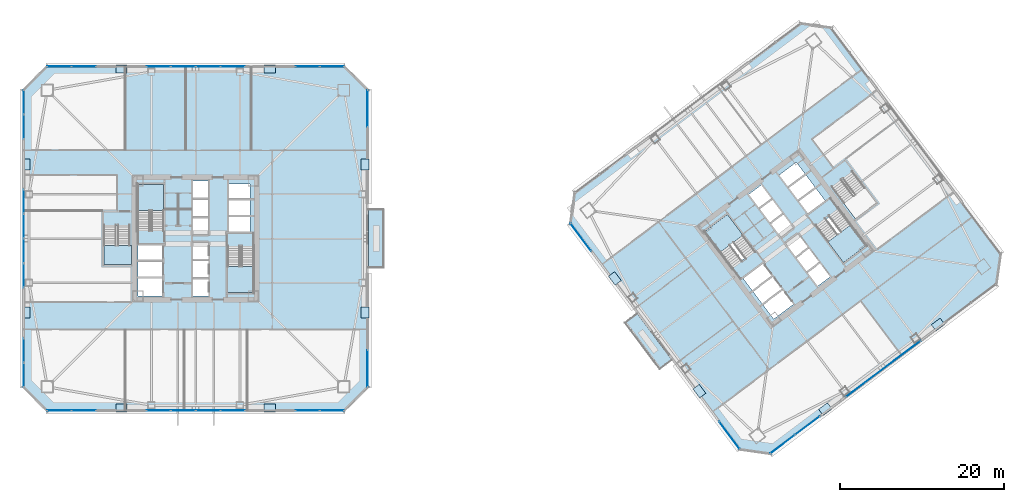
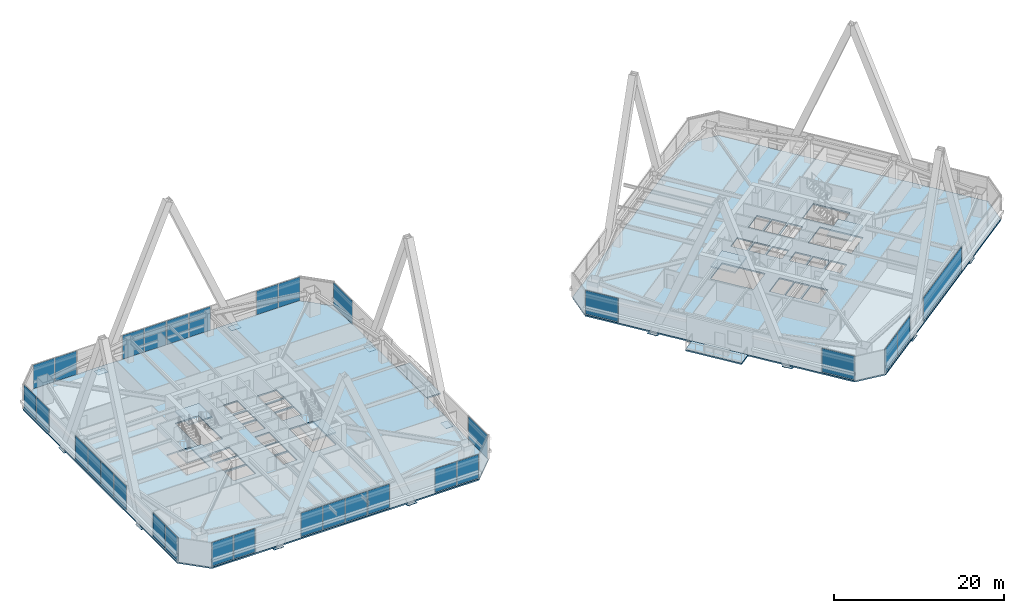
# One storey, part 41 of 54: 43 plates, 9 slabs, 20 elements without a shape of their own.
"""IFC4 building model written with IfcOpenShell, lengths in metres."""

from ifc_helpers import new_model, si_unit, direction, frame, origin, origin_2d, place, context, subcontext, project, spatial, polyline, rectangle, outline, extrude, material, layer, layer_set, type_object, element, aggregate, save


model = new_model("IFC4")

# Units and contexts
model_context = context("Model", 3, precision=1e-05, world=origin(), true_north=direction((0.0, 1.0)))
body_context = subcontext(model_context, "Body", "Model", "MODEL_VIEW")
ifc_project = project(units=[si_unit("LENGTHUNIT", "METRE"), si_unit("AREAUNIT", "SQUARE_METRE"), si_unit("VOLUMEUNIT", "CUBIC_METRE"), si_unit("PLANEANGLEUNIT", "RADIAN"), si_unit("MASSUNIT", "GRAM", prefix="KILO")], contexts=[model_context])

# Site, building, storey
site_placement = place(None, origin())
site = spatial("IfcSite", under=ifc_project, at=site_placement, CompositionType="ELEMENT")
building_placement = place(site_placement, origin())
building = spatial("IfcBuilding", under=site, at=building_placement, Name="Tashvorn Skyway Center", CompositionType="ELEMENT")
storey_placement = place(building_placement, frame((0.0, 0.0, 88.5)))
storey = spatial("IfcBuildingStorey", under=building, at=storey_placement, Name="L23", CompositionType="ELEMENT", Elevation=88.5)

# Curtain wall, plates
ifc_material_1 = material(Name="Thermally broken bronze-anodized aluminium 6063-T6", Category="aluminium")
curtain_wall_type = type_object("IfcCurtainWallType", Name="CW-CW-Z2", PredefinedType="NOTDEFINED", material=ifc_material_1)
curtain_wall_1_placement = place(storey_placement, origin())
curtain_wall_1 = element("IfcCurtainWall", 1, at=curtain_wall_1_placement, inside=storey, type_object=curtain_wall_type, Name="Tower 1 L23 South Unitised Curtain Wall Glazing Group 1", PredefinedType="NOTDEFINED")
ifc_material_2 = material(Name="Low-E solar-control double insulating safety glass", Category="glass")
ifc_layer_1 = layer(ifc_material_2, 0.0439453125)
ifc_layer_set_1 = layer_set([ifc_layer_1], Name="Low-E solar-control double insulating safety glass")
plate_type_1 = type_object("IfcPlateType", Name="CWP-CW-Z2", PredefinedType="CURTAIN_PANEL", material=ifc_layer_set_1)
plate_1_placement = place(storey_placement, frame((58.64501953125, 11.02001953125, 0.080078125), z_axis=(0.0, 0.0, 1.0), x_axis=(-1.0, 0.0, 0.0)))
plate_1 = element("IfcPlate", 2, at=plate_1_placement, type_object=plate_type_1, Name="CW-Z2 panel 1.1", PredefinedType="CURTAIN_PANEL", context=body_context, shape_type="SweptSolid", body=[
    extrude(rectangle(XDim=2.909912109375, YDim=0.0439453125, at=origin_2d()), origin(), (0.0, 0.0, 1.0), 3.389892578125),
])
plate_2_placement = place(storey_placement, frame((55.655029296875, 11.02001953125, 0.080078125), z_axis=(0.0, 0.0, 1.0), x_axis=(-1.0, 0.0, 0.0)))
plate_2 = element("IfcPlate", 3, at=plate_2_placement, type_object=plate_type_1, Name="CW-Z2 panel 2.1", PredefinedType="CURTAIN_PANEL", context=body_context, shape_type="SweptSolid", body=[
    extrude(rectangle(XDim=2.909912109375, YDim=0.0439453125, at=origin_2d()), origin(), (0.0, 0.0, 1.0), 3.389892578125),
])
aggregate(curtain_wall_1, [plate_1, plate_2])

curtain_wall_2_placement = place(storey_placement, origin())
curtain_wall_2 = element("IfcCurtainWall", 4, at=curtain_wall_2_placement, inside=storey, type_object=curtain_wall_type, Name="Tower 1 L23 South Unitised Curtain Wall Glazing Group 2", PredefinedType="NOTDEFINED")
plate_3_placement = place(storey_placement, frame((46.52490234375, 11.02001953125, 0.080078125), z_axis=(0.0, 0.0, 1.0), x_axis=(-1.0, 0.0, 0.0)))
plate_3 = element("IfcPlate", 5, at=plate_3_placement, type_object=plate_type_1, Name="CW-Z2 panel 1.1", PredefinedType="CURTAIN_PANEL", context=body_context, shape_type="SweptSolid", body=[
    extrude(rectangle(XDim=2.909912109375, YDim=0.0439453125, at=origin_2d()), origin(), (0.0, 0.0, 1.0), 3.389892578125),
])
plate_4_placement = place(storey_placement, frame((43.514892578125, 11.02001953125, 0.080078125), z_axis=(0.0, 0.0, 1.0), x_axis=(-1.0, 0.0, 0.0)))
plate_4 = element("IfcPlate", 6, at=plate_4_placement, type_object=plate_type_1, Name="CW-Z2 panel 2.1", PredefinedType="CURTAIN_PANEL", context=body_context, shape_type="SweptSolid", body=[
    extrude(rectangle(XDim=2.949951171875, YDim=0.0439453125, at=origin_2d()), origin(), (0.0, 0.0, 1.0), 3.389892578125),
])
plate_5_placement = place(storey_placement, frame((40.485107421875, 11.02001953125, 0.080078125), z_axis=(0.0, 0.0, 1.0), x_axis=(-1.0, 0.0, 0.0)))
plate_5 = element("IfcPlate", 7, at=plate_5_placement, type_object=plate_type_1, Name="CW-Z2 panel 3.1", PredefinedType="CURTAIN_PANEL", context=body_context, shape_type="SweptSolid", body=[
    extrude(rectangle(XDim=2.949951171875, YDim=0.0439453125, at=origin_2d()), origin(), (0.0, 0.0, 1.0), 3.389892578125),
])
plate_6_placement = place(storey_placement, frame((37.47509765625, 11.02001953125, 0.080078125), z_axis=(0.0, 0.0, 1.0), x_axis=(-1.0, 0.0, 0.0)))
plate_6 = element("IfcPlate", 8, at=plate_6_placement, type_object=plate_type_1, Name="CW-Z2 panel 4.1", PredefinedType="CURTAIN_PANEL", context=body_context, shape_type="SweptSolid", body=[
    extrude(rectangle(XDim=2.909912109375, YDim=0.0439453125, at=origin_2d()), origin(), (0.0, 0.0, 1.0), 3.389892578125),
])
aggregate(curtain_wall_2, [plate_3, plate_4, plate_5, plate_6])

curtain_wall_3_placement = place(storey_placement, origin())
curtain_wall_3 = element("IfcCurtainWall", 9, at=curtain_wall_3_placement, inside=storey, type_object=curtain_wall_type, Name="Tower 1 L23 South Unitised Curtain Wall Glazing Group 3", PredefinedType="NOTDEFINED")
plate_7_placement = place(storey_placement, frame((28.344970703125, 11.02001953125, 0.080078125), z_axis=(0.0, 0.0, 1.0), x_axis=(-1.0, 0.0, 0.0)))
plate_7 = element("IfcPlate", 10, at=plate_7_placement, type_object=plate_type_1, Name="CW-Z2 panel 1.1", PredefinedType="CURTAIN_PANEL", context=body_context, shape_type="SweptSolid", body=[
    extrude(rectangle(XDim=2.909912109375, YDim=0.0439453125, at=origin_2d()), origin(), (0.0, 0.0, 1.0), 3.389892578125),
])
plate_8_placement = place(storey_placement, frame((25.35498046875, 11.02001953125, 0.080078125), z_axis=(0.0, 0.0, 1.0), x_axis=(-1.0, 0.0, 0.0)))
plate_8 = element("IfcPlate", 11, at=plate_8_placement, type_object=plate_type_1, Name="CW-Z2 panel 2.1", PredefinedType="CURTAIN_PANEL", context=body_context, shape_type="SweptSolid", body=[
    extrude(rectangle(XDim=2.909912109375, YDim=0.0439453125, at=origin_2d()), origin(), (0.0, 0.0, 1.0), 3.389892578125),
])
aggregate(curtain_wall_3, [plate_7, plate_8])

curtain_wall_4_placement = place(storey_placement, origin())
curtain_wall_4 = element("IfcCurtainWall", 12, at=curtain_wall_4_placement, inside=storey, type_object=curtain_wall_type, Name="Tower 1 L23 West Unitised Curtain Wall Glazing Group 1", PredefinedType="NOTDEFINED")
plate_9_placement = place(storey_placement, frame((21.02001953125, 15.35498046875, 0.080078125), z_axis=(0.0, 0.0, 1.0), x_axis=(0.0, 1.0, 0.0)))
plate_9 = element("IfcPlate", 13, at=plate_9_placement, type_object=plate_type_1, Name="CW-Z2 panel 1.1", PredefinedType="CURTAIN_PANEL", context=body_context, shape_type="SweptSolid", body=[
    extrude(rectangle(XDim=2.909912109375, YDim=0.0439453125, at=origin_2d()), origin(), (0.0, 0.0, 1.0), 3.389892578125),
])
plate_10_placement = place(storey_placement, frame((21.02001953125, 18.344970703125, 0.080078125), z_axis=(0.0, 0.0, 1.0), x_axis=(0.0, 1.0, 0.0)))
plate_10 = element("IfcPlate", 14, at=plate_10_placement, type_object=plate_type_1, Name="CW-Z2 panel 2.1", PredefinedType="CURTAIN_PANEL", context=body_context, shape_type="SweptSolid", body=[
    extrude(rectangle(XDim=2.909912109375, YDim=0.0439453125, at=origin_2d()), origin(), (0.0, 0.0, 1.0), 3.389892578125),
])
aggregate(curtain_wall_4, [plate_9, plate_10])

curtain_wall_5_placement = place(storey_placement, origin())
curtain_wall_5 = element("IfcCurtainWall", 15, at=curtain_wall_5_placement, inside=storey, type_object=curtain_wall_type, Name="Tower 1 L23 West Unitised Curtain Wall Glazing Group 2", PredefinedType="NOTDEFINED")
plate_11_placement = place(storey_placement, frame((21.02001953125, 27.47509765625, 0.080078125), z_axis=(0.0, 0.0, 1.0), x_axis=(0.0, 1.0, 0.0)))
plate_11 = element("IfcPlate", 16, at=plate_11_placement, type_object=plate_type_1, Name="CW-Z2 panel 1.1", PredefinedType="CURTAIN_PANEL", context=body_context, shape_type="SweptSolid", body=[
    extrude(rectangle(XDim=2.909912109375, YDim=0.0439453125, at=origin_2d()), origin(), (0.0, 0.0, 1.0), 3.389892578125),
])
plate_12_placement = place(storey_placement, frame((21.02001953125, 30.485107421875, 0.080078125), z_axis=(0.0, 0.0, 1.0), x_axis=(0.0, 1.0, 0.0)))
plate_12 = element("IfcPlate", 17, at=plate_12_placement, type_object=plate_type_1, Name="CW-Z2 panel 2.1", PredefinedType="CURTAIN_PANEL", context=body_context, shape_type="SweptSolid", body=[
    extrude(rectangle(XDim=2.949951171875, YDim=0.0439453125, at=origin_2d()), origin(), (0.0, 0.0, 1.0), 3.389892578125),
])
plate_13_placement = place(storey_placement, frame((21.02001953125, 33.514892578125, 0.080078125), z_axis=(0.0, 0.0, 1.0), x_axis=(0.0, 1.0, 0.0)))
plate_13 = element("IfcPlate", 18, at=plate_13_placement, type_object=plate_type_1, Name="CW-Z2 panel 3.1", PredefinedType="CURTAIN_PANEL", context=body_context, shape_type="SweptSolid", body=[
    extrude(rectangle(XDim=2.949951171875, YDim=0.0439453125, at=origin_2d()), origin(), (0.0, 0.0, 1.0), 3.389892578125),
])
plate_14_placement = place(storey_placement, frame((21.02001953125, 36.52490234375, 0.080078125), z_axis=(0.0, 0.0, 1.0), x_axis=(0.0, 1.0, 0.0)))
plate_14 = element("IfcPlate", 19, at=plate_14_placement, type_object=plate_type_1, Name="CW-Z2 panel 4.1", PredefinedType="CURTAIN_PANEL", context=body_context, shape_type="SweptSolid", body=[
    extrude(rectangle(XDim=2.909912109375, YDim=0.0439453125, at=origin_2d()), origin(), (0.0, 0.0, 1.0), 3.389892578125),
])
aggregate(curtain_wall_5, [plate_11, plate_12, plate_13, plate_14])

curtain_wall_6_placement = place(storey_placement, origin())
curtain_wall_6 = element("IfcCurtainWall", 20, at=curtain_wall_6_placement, inside=storey, type_object=curtain_wall_type, Name="Tower 1 L23 West Unitised Curtain Wall Glazing Group 3", PredefinedType="NOTDEFINED")
plate_15_placement = place(storey_placement, frame((21.02001953125, 45.655029296875, 0.080078125), z_axis=(0.0, 0.0, 1.0), x_axis=(0.0, 1.0, 0.0)))
plate_15 = element("IfcPlate", 21, at=plate_15_placement, type_object=plate_type_1, Name="CW-Z2 panel 1.1", PredefinedType="CURTAIN_PANEL", context=body_context, shape_type="SweptSolid", body=[
    extrude(rectangle(XDim=2.909912109375, YDim=0.0439453125, at=origin_2d()), origin(), (0.0, 0.0, 1.0), 3.389892578125),
])
plate_16_placement = place(storey_placement, frame((21.02001953125, 48.64501953125, 0.080078125), z_axis=(0.0, 0.0, 1.0), x_axis=(0.0, 1.0, 0.0)))
plate_16 = element("IfcPlate", 22, at=plate_16_placement, type_object=plate_type_1, Name="CW-Z2 panel 2.1", PredefinedType="CURTAIN_PANEL", context=body_context, shape_type="SweptSolid", body=[
    extrude(rectangle(XDim=2.909912109375, YDim=0.0439453125, at=origin_2d()), origin(), (0.0, 0.0, 1.0), 3.389892578125),
])
aggregate(curtain_wall_6, [plate_15, plate_16])

curtain_wall_7_placement = place(storey_placement, origin())
curtain_wall_7 = element("IfcCurtainWall", 23, at=curtain_wall_7_placement, inside=storey, type_object=curtain_wall_type, Name="Tower 1 L23 North Unitised Curtain Wall Glazing Group 1", PredefinedType="NOTDEFINED")
plate_17_placement = place(storey_placement, frame((25.35498046875, 52.97998046875, 0.080078125), z_axis=(0.0, 0.0, 1.0), x_axis=(1.0, 0.0, 0.0)))
plate_17 = element("IfcPlate", 24, at=plate_17_placement, type_object=plate_type_1, Name="CW-Z2 panel 1.1", PredefinedType="CURTAIN_PANEL", context=body_context, shape_type="SweptSolid", body=[
    extrude(rectangle(XDim=2.909912109375, YDim=0.0439453125, at=origin_2d()), origin(), (0.0, 0.0, 1.0), 3.389892578125),
])
plate_18_placement = place(storey_placement, frame((28.344970703125, 52.97998046875, 0.080078125), z_axis=(0.0, 0.0, 1.0), x_axis=(1.0, 0.0, 0.0)))
plate_18 = element("IfcPlate", 25, at=plate_18_placement, type_object=plate_type_1, Name="CW-Z2 panel 2.1", PredefinedType="CURTAIN_PANEL", context=body_context, shape_type="SweptSolid", body=[
    extrude(rectangle(XDim=2.909912109375, YDim=0.0439453125, at=origin_2d()), origin(), (0.0, 0.0, 1.0), 3.389892578125),
])
aggregate(curtain_wall_7, [plate_17, plate_18])

curtain_wall_8_placement = place(storey_placement, origin())
curtain_wall_8 = element("IfcCurtainWall", 26, at=curtain_wall_8_placement, inside=storey, type_object=curtain_wall_type, Name="Tower 1 L23 North Unitised Curtain Wall Glazing Group 2", PredefinedType="NOTDEFINED")
plate_19_placement = place(storey_placement, frame((37.47509765625, 52.97998046875, 0.080078125), z_axis=(0.0, 0.0, 1.0), x_axis=(1.0, 0.0, 0.0)))
plate_19 = element("IfcPlate", 27, at=plate_19_placement, type_object=plate_type_1, Name="CW-Z2 panel 1.1", PredefinedType="CURTAIN_PANEL", context=body_context, shape_type="SweptSolid", body=[
    extrude(rectangle(XDim=2.909912109375, YDim=0.0439453125, at=origin_2d()), origin(), (0.0, 0.0, 1.0), 3.389892578125),
])
plate_20_placement = place(storey_placement, frame((40.485107421875, 52.97998046875, 0.080078125), z_axis=(0.0, 0.0, 1.0), x_axis=(1.0, 0.0, 0.0)))
plate_20 = element("IfcPlate", 28, at=plate_20_placement, type_object=plate_type_1, Name="CW-Z2 panel 2.1", PredefinedType="CURTAIN_PANEL", context=body_context, shape_type="SweptSolid", body=[
    extrude(rectangle(XDim=2.949951171875, YDim=0.0439453125, at=origin_2d()), origin(), (0.0, 0.0, 1.0), 3.389892578125),
])
plate_21_placement = place(storey_placement, frame((43.514892578125, 52.97998046875, 0.080078125), z_axis=(0.0, 0.0, 1.0), x_axis=(1.0, 0.0, 0.0)))
plate_21 = element("IfcPlate", 29, at=plate_21_placement, type_object=plate_type_1, Name="CW-Z2 panel 3.1", PredefinedType="CURTAIN_PANEL", context=body_context, shape_type="SweptSolid", body=[
    extrude(rectangle(XDim=2.949951171875, YDim=0.0439453125, at=origin_2d()), origin(), (0.0, 0.0, 1.0), 3.389892578125),
])
plate_22_placement = place(storey_placement, frame((46.52490234375, 52.97998046875, 0.080078125), z_axis=(0.0, 0.0, 1.0), x_axis=(1.0, 0.0, 0.0)))
plate_22 = element("IfcPlate", 30, at=plate_22_placement, type_object=plate_type_1, Name="CW-Z2 panel 4.1", PredefinedType="CURTAIN_PANEL", context=body_context, shape_type="SweptSolid", body=[
    extrude(rectangle(XDim=2.909912109375, YDim=0.0439453125, at=origin_2d()), origin(), (0.0, 0.0, 1.0), 3.389892578125),
])
aggregate(curtain_wall_8, [plate_19, plate_20, plate_21, plate_22])

curtain_wall_9_placement = place(storey_placement, origin())
curtain_wall_9 = element("IfcCurtainWall", 31, at=curtain_wall_9_placement, inside=storey, type_object=curtain_wall_type, Name="Tower 1 L23 North Unitised Curtain Wall Glazing Group 3", PredefinedType="NOTDEFINED")
plate_23_placement = place(storey_placement, frame((55.655029296875, 52.97998046875, 0.080078125), z_axis=(0.0, 0.0, 1.0), x_axis=(1.0, 0.0, 0.0)))
plate_23 = element("IfcPlate", 32, at=plate_23_placement, type_object=plate_type_1, Name="CW-Z2 panel 1.1", PredefinedType="CURTAIN_PANEL", context=body_context, shape_type="SweptSolid", body=[
    extrude(rectangle(XDim=2.909912109375, YDim=0.0439453125, at=origin_2d()), origin(), (0.0, 0.0, 1.0), 3.389892578125),
])
plate_24_placement = place(storey_placement, frame((58.64501953125, 52.97998046875, 0.080078125), z_axis=(0.0, 0.0, 1.0), x_axis=(1.0, 0.0, 0.0)))
plate_24 = element("IfcPlate", 33, at=plate_24_placement, type_object=plate_type_1, Name="CW-Z2 panel 2.1", PredefinedType="CURTAIN_PANEL", context=body_context, shape_type="SweptSolid", body=[
    extrude(rectangle(XDim=2.909912109375, YDim=0.0439453125, at=origin_2d()), origin(), (0.0, 0.0, 1.0), 3.389892578125),
])
aggregate(curtain_wall_9, [plate_23, plate_24])

# Curtain wall, plate
curtain_wall_10_placement = place(storey_placement, origin())
curtain_wall_10 = element("IfcCurtainWall", 34, at=curtain_wall_10_placement, inside=storey, type_object=curtain_wall_type, Name="Tower 1 L23 East Curtain Wall L Glazing Group 1", PredefinedType="NOTDEFINED")
plate_25_placement = place(storey_placement, frame((62.97998046875, 47.8583984375, 0.080078125), z_axis=(0.0, 0.0, 1.0), x_axis=(0.0, -1.0, 0.0)))
plate_25 = element("IfcPlate", 35, at=plate_25_placement, type_object=plate_type_1, Name="CW-Z2 panel 1.1", PredefinedType="CURTAIN_PANEL", context=body_context, shape_type="SweptSolid", body=[
    extrude(rectangle(XDim=4.4833984375, YDim=0.0439453125, at=origin_2d()), origin(), (0.0, 0.0, 1.0), 3.389892578125),
])
aggregate(curtain_wall_10, [plate_25])

curtain_wall_11_placement = place(storey_placement, origin())
curtain_wall_11 = element("IfcCurtainWall", 36, at=curtain_wall_11_placement, inside=storey, type_object=curtain_wall_type, Name="Tower 1 L23 East Curtain Wall R Glazing Group 1", PredefinedType="NOTDEFINED")
plate_26_placement = place(storey_placement, frame((62.97998046875, 16.1416015625, 0.080078125), z_axis=(0.0, 0.0, 1.0), x_axis=(0.0, -1.0, 0.0)))
plate_26 = element("IfcPlate", 37, at=plate_26_placement, type_object=plate_type_1, Name="CW-Z2 panel 1.1", PredefinedType="CURTAIN_PANEL", context=body_context, shape_type="SweptSolid", body=[
    extrude(rectangle(XDim=4.4833984375, YDim=0.0439453125, at=origin_2d()), origin(), (0.0, 0.0, 1.0), 3.389892578125),
])
aggregate(curtain_wall_11, [plate_26])

curtain_wall_12_placement = place(storey_placement, origin())
curtain_wall_12 = element("IfcCurtainWall", 38, at=curtain_wall_12_placement, inside=storey, type_object=curtain_wall_type, Name="Tower 2 L23 South Unitised Curtain Wall Glazing Group 2", PredefinedType="NOTDEFINED")
plate_27_placement = place(storey_placement, frame((125.927978515625, 16.095947265625, 0.080078125), z_axis=(0.0, 0.0, 1.0), x_axis=(-0.799999999998, -0.600000000002, 0.0)))
plate_27 = element("IfcPlate", 39, at=plate_27_placement, type_object=plate_type_1, Name="CW-Z2 panel 1.1", PredefinedType="CURTAIN_PANEL", context=body_context, shape_type="SweptSolid", body=[
    extrude(rectangle(XDim=11.360107421875, YDim=0.0439453125, at=origin_2d()), origin(), (0.0, 0.0, 1.0), 3.389892578125),
])
aggregate(curtain_wall_12, [plate_27])

# Curtain wall, plates
curtain_wall_13_placement = place(storey_placement, origin())
curtain_wall_13 = element("IfcCurtainWall", 40, at=curtain_wall_13_placement, inside=storey, type_object=curtain_wall_type, Name="Tower 2 L23 South Unitised Curtain Wall Glazing Group 3", PredefinedType="NOTDEFINED")
plate_28_placement = place(storey_placement, frame((116.696044921875, 9.172119140625, 0.080078125), z_axis=(0.0, 0.0, 1.0), x_axis=(-0.799999999998, -0.600000000002, 0.0)))
plate_28 = element("IfcPlate", 41, at=plate_28_placement, type_object=plate_type_1, Name="CW-Z2 panel 1.1", PredefinedType="CURTAIN_PANEL", context=body_context, shape_type="SweptSolid", body=[
    extrude(rectangle(XDim=3.719970703125, YDim=0.0439453125, at=origin_2d()), origin(), (0.0, 0.0, 1.0), 3.389892578125),
])
plate_29_placement = place(storey_placement, frame((113.656005859375, 6.89208984375, 0.080078125), z_axis=(0.0, 0.0, 1.0), x_axis=(-0.799999999998, -0.600000000002, 0.0)))
plate_29 = element("IfcPlate", 42, at=plate_29_placement, type_object=plate_type_1, Name="CW-Z2 panel 2.1", PredefinedType="CURTAIN_PANEL", context=body_context, shape_type="SweptSolid", body=[
    extrude(rectangle(XDim=3.719970703125, YDim=0.0439453125, at=origin_2d()), origin(), (0.0, 0.0, 1.0), 3.389892578125),
])
aggregate(curtain_wall_13, [plate_28, plate_29])

# Curtain wall, plate
curtain_wall_14_placement = place(storey_placement, origin())
curtain_wall_14 = element("IfcCurtainWall", 43, at=curtain_wall_14_placement, inside=storey, type_object=curtain_wall_type, Name="Tower 2 L23 West Curtain Wall L Glazing Group 1", PredefinedType="NOTDEFINED")
plate_30_placement = place(storey_placement, frame((107.160888671875, 7.9853515625, 0.080078125), z_axis=(0.0, 0.0, 1.0), x_axis=(-0.599996316206, 0.800002762832, 0.0)))
plate_30 = element("IfcPlate", 44, at=plate_30_placement, type_object=plate_type_1, Name="CW-Z2 panel 1.1", PredefinedType="CURTAIN_PANEL", context=body_context, shape_type="SweptSolid", body=[
    extrude(rectangle(XDim=4.183349609375, YDim=0.0439453125, at=origin_2d()), origin(), (0.0, 0.0, 1.0), 3.389892578125),
])
aggregate(curtain_wall_14, [plate_30])

curtain_wall_15_placement = place(storey_placement, origin())
curtain_wall_15 = element("IfcCurtainWall", 45, at=curtain_wall_15_placement, inside=storey, type_object=curtain_wall_type, Name="Tower 2 L23 West Curtain Wall R Glazing Group 1", PredefinedType="NOTDEFINED")
plate_31_placement = place(storey_placement, frame((89.031005859375, 32.15869140625, 0.080078125), z_axis=(0.0, 0.0, 1.0), x_axis=(-0.599996316206, 0.800002762832, 0.0)))
plate_31 = element("IfcPlate", 46, at=plate_31_placement, type_object=plate_type_1, Name="CW-Z2 panel 1.1", PredefinedType="CURTAIN_PANEL", context=body_context, shape_type="SweptSolid", body=[
    extrude(rectangle(XDim=4.183349609375, YDim=0.0439453125, at=origin_2d()), origin(), (0.0, 0.0, 1.0), 3.389892578125),
])
aggregate(curtain_wall_15, [plate_31])

# Plates
ifc_material_3 = material(Name="Steel ASTM A572 Grade 50", Category="steel")
ifc_layer_2 = layer(ifc_material_3, 0.044921875)
ifc_layer_set_2 = layer_set([ifc_layer_2], Name="Steel ASTM A572 Grade 50")
plate_type_2 = type_object("IfcPlateType", Name="PLT-GUSSET-45", PredefinedType="USERDEFINED", material=ifc_layer_set_2)
for number, where, z_axis, x_axis, name in (
    (47, (32.949951171875, 11.320068359375, -0.472412109375), (0.0, 0.0, 1.0), (1.0, 0.0, 0.0), "Tower 1 Zone 2 S Mid-Chevron Node Gusset L"),
    (48, (51.050048828125, 11.320068359375, -0.472412109375), (0.0, 0.0, 1.0), (1.0, 0.0, 0.0), "Tower 1 Zone 2 S Mid-Chevron Node Gusset R"),
    (49, (62.679931640625, 22.949951171875, -0.472412109375), (0.0, 0.0, 1.0), (0.0, 1.0, 0.0), "Tower 1 Zone 2 E Mid-Chevron Node Gusset L"),
    (50, (62.679931640625, 41.050048828125, -0.472412109375), (0.0, 0.0, 1.0), (0.0, 1.0, 0.0), "Tower 1 Zone 2 E Mid-Chevron Node Gusset R"),
    (51, (51.050048828125, 52.679931640625, -0.472412109375), (0.0, 0.0, 1.0), (-1.0, 0.0, 0.0), "Tower 1 Zone 2 N Mid-Chevron Node Gusset L"),
    (52, (32.949951171875, 52.679931640625, -0.472412109375), (0.0, 0.0, 1.0), (-1.0, 0.0, 0.0), "Tower 1 Zone 2 N Mid-Chevron Node Gusset R"),
    (53, (21.320068359375, 41.050048828125, -0.472412109375), (0.0, 0.0, 1.0), (0.0, -1.0, 0.0), "Tower 1 Zone 2 W Mid-Chevron Node Gusset L"),
    (54, (21.320068359375, 22.949951171875, -0.472412109375), (0.0, 0.0, 1.0), (0.0, -1.0, 0.0), "Tower 1 Zone 2 W Mid-Chevron Node Gusset R"),
    (55, (118.867919921875, 11.176025390625, -0.472412109375), (0.0, 0.0, 1.0), (0.799999996291, 0.600000004945, 0.0), "Tower 2 Zone 2 S Mid-Chevron Node Gusset L"),
    (56, (132.6279296875, 21.49609375, -0.472412109375), (0.0, 0.0, 1.0), (0.799999996291, 0.600000004945, 0.0), "Tower 2 Zone 2 S Mid-Chevron Node Gusset R"),
    (57, (93.176025390625, 27.132080078125, -0.472412109375), (0.0, 0.0, 1.0), (0.600000004945, -0.799999996291, 0.0), "Tower 2 Zone 2 W Mid-Chevron Node Gusset L"),
    (58, (103.49609375, 13.3720703125, -0.472412109375), (0.0, 0.0, 1.0), (0.600000004945, -0.799999996291, 0.0), "Tower 2 Zone 2 W Mid-Chevron Node Gusset R"),
):
    element("IfcPlate", number, at=place(storey_placement, frame(where, z_axis=z_axis, x_axis=x_axis)), inside=storey, type_object=plate_type_2, Name=name, ObjectType="GUSSET PLATE", PredefinedType="USERDEFINED", context=body_context, shape_type="SweptSolid", body=[
        extrude(rectangle(XDim=1.35009765625, YDim=0.949951171875, at=origin_2d()), origin(), (0.0, 0.0, 1.0), 0.044921875),
    ])

# Slabs
ifc_material_4 = material(Name="Concrete C40/50", Category="concrete")
ifc_layer_3 = layer(ifc_material_4, 0.199951171875)
ifc_layer_set_3 = layer_set([ifc_layer_3], Name="Concrete C40/50")
slab_type_1 = type_object("IfcSlabType", Name="SLAB-FLR-200", PredefinedType="FLOOR", material=ifc_layer_set_3)
slab_1_placement = place(storey_placement, frame((0.0, 0.0, -0.199951171875)))
element("IfcSlab", 59, at=slab_1_placement, inside=storey, type_object=slab_type_1, Name="Tower 1 L23 Composite Floor Slab", PredefinedType="FLOOR", context=body_context, shape_type="SweptSolid", body=[
    extrude(outline(polyline([(23.89990234375, 10.89990234375), (60.10009765625, 10.89990234375), (63.10009765625, 13.89990234375), (63.10009765625, 50.10009765625), (60.10009765625, 53.10009765625), (23.89990234375, 53.10009765625), (20.89990234375, 50.10009765625), (20.89990234375, 13.89990234375), (23.89990234375, 10.89990234375)]), holes=[polyline([(38.10009765625, 33.080078125), (38.10009765625, 38.60009765625), (34.89990234375, 38.60009765625), (34.89990234375, 33.080078125), (38.10009765625, 33.080078125)]), polyline([(45.89990234375, 30.919921875), (45.89990234375, 25.39990234375), (49.10009765625, 25.39990234375), (49.10009765625, 30.919921875), (45.89990234375, 30.919921875)]), polyline([(30.800048828125, 33.52001953125), (30.800048828125, 28.800048828125), (34.0, 28.800048828125), (34.0, 33.52001953125), (30.800048828125, 33.52001953125)]), polyline([(34.949951171875, 29.35009765625), (37.949951171875, 29.35009765625), (37.949951171875, 31.199951171875), (34.949951171875, 31.199951171875), (34.949951171875, 29.35009765625)]), polyline([(34.949951171875, 27.35009765625), (37.949951171875, 27.35009765625), (37.949951171875, 29.199951171875), (34.949951171875, 29.199951171875), (34.949951171875, 27.35009765625)]), polyline([(34.949951171875, 25.0), (37.949951171875, 25.0), (37.949951171875, 27.14990234375), (34.949951171875, 27.14990234375), (34.949951171875, 25.0)]), polyline([(41.64990234375, 25.0), (43.550048828125, 25.0), (43.550048828125, 27.050048828125), (41.64990234375, 27.050048828125), (41.64990234375, 25.0)]), polyline([(41.64990234375, 27.25), (43.550048828125, 27.25), (43.550048828125, 29.300048828125), (41.64990234375, 29.300048828125), (41.64990234375, 27.25)]), polyline([(41.64990234375, 29.5), (43.550048828125, 29.5), (43.550048828125, 31.550048828125), (41.64990234375, 31.550048828125), (41.64990234375, 29.5)]), polyline([(41.64990234375, 32.449951171875), (43.550048828125, 32.449951171875), (43.550048828125, 34.5), (41.64990234375, 34.5), (41.64990234375, 32.449951171875)]), polyline([(41.64990234375, 34.699951171875), (43.550048828125, 34.699951171875), (43.550048828125, 36.75), (41.64990234375, 36.75), (41.64990234375, 34.699951171875)]), polyline([(41.64990234375, 36.949951171875), (43.550048828125, 36.949951171875), (43.550048828125, 39.0), (41.64990234375, 39.0), (41.64990234375, 36.949951171875)]), polyline([(46.050048828125, 32.800048828125), (48.64990234375, 32.800048828125), (48.64990234375, 34.64990234375), (46.050048828125, 34.64990234375), (46.050048828125, 32.800048828125)]), polyline([(46.050048828125, 34.85009765625), (48.64990234375, 34.85009765625), (48.64990234375, 36.699951171875), (46.050048828125, 36.699951171875), (46.050048828125, 34.85009765625)]), polyline([(46.050048828125, 36.89990234375), (48.64990234375, 36.89990234375), (48.64990234375, 38.64990234375), (46.050048828125, 38.64990234375), (46.050048828125, 36.89990234375)])]), origin(), (0.0, 0.0, 1.0), 0.199951171875),
])
slab_2_placement = place(storey_placement, frame((0.0, 0.0, -0.199951171875)))
element("IfcSlab", 60, at=slab_2_placement, inside=storey, type_object=slab_type_1, Name="Tower 2 L23 Composite Floor Slab", PredefinedType="FLOOR", context=body_context, shape_type="SweptSolid", body=[
    extrude(outline(polyline([(112.239990234375, 5.679931640625), (139.760009765625, 26.320068359375), (140.320068359375, 30.239990234375), (119.679931640625, 57.760009765625), (115.760009765625, 58.320068359375), (88.239990234375, 37.679931640625), (87.679931640625, 33.760009765625), (108.320068359375, 6.239990234375), (112.239990234375, 5.679931640625)]), holes=[polyline([(110.23193359375, 30.52392578125), (106.919921875, 34.93994140625), (104.135986328125, 32.85205078125), (107.447998046875, 28.43603515625), (110.23193359375, 30.52392578125)]), polyline([(117.76806640625, 33.47607421875), (121.080078125, 29.06005859375), (123.864013671875, 31.14794921875), (120.552001953125, 35.56396484375), (117.76806640625, 33.47607421875)]), polyline([(119.7119140625, 38.18408203125), (122.5439453125, 34.407958984375), (125.10400390625, 36.327880859375), (122.27197265625, 40.10400390625), (119.7119140625, 38.18408203125)]), polyline([(109.949951171875, 25.64990234375), (112.35009765625, 27.449951171875), (111.239990234375, 28.929931640625), (108.840087890625, 27.1298828125), (109.949951171875, 25.64990234375)]), polyline([(111.14990234375, 24.050048828125), (113.550048828125, 25.85009765625), (112.43994140625, 27.330078125), (110.0400390625, 25.530029296875), (111.14990234375, 24.050048828125)]), polyline([(112.56005859375, 22.169921875), (114.9599609375, 23.969970703125), (113.669921875, 25.68994140625), (111.27001953125, 23.889892578125), (112.56005859375, 22.169921875)]), polyline([(117.919921875, 26.18994140625), (119.43994140625, 27.330078125), (118.2099609375, 28.969970703125), (116.68994140625, 27.830078125), (117.919921875, 26.18994140625)]), polyline([(116.570068359375, 27.989990234375), (118.090087890625, 29.1298828125), (116.860107421875, 30.77001953125), (115.340087890625, 29.6298828125), (116.570068359375, 27.989990234375)]), polyline([(115.219970703125, 29.7900390625), (116.739990234375, 30.929931640625), (115.510009765625, 32.570068359375), (113.989990234375, 31.429931640625), (115.219970703125, 29.7900390625)]), polyline([(113.449951171875, 32.14990234375), (114.969970703125, 33.2900390625), (113.739990234375, 34.929931640625), (112.219970703125, 33.7900390625), (113.449951171875, 32.14990234375)]), polyline([(112.10009765625, 33.949951171875), (113.6201171875, 35.090087890625), (112.389892578125, 36.72998046875), (110.8701171875, 35.590087890625), (112.10009765625, 33.949951171875)]), polyline([(110.75, 35.75), (112.27001953125, 36.889892578125), (111.0400390625, 38.530029296875), (109.52001953125, 37.389892578125), (110.75, 35.75)]), polyline([(116.760009765625, 35.070068359375), (118.840087890625, 36.6298828125), (117.72998046875, 38.110107421875), (115.64990234375, 36.550048828125), (116.760009765625, 35.070068359375)]), polyline([(115.530029296875, 36.7099609375), (117.610107421875, 38.27001953125), (116.5, 39.75), (114.419921875, 38.18994140625), (115.530029296875, 36.7099609375)]), polyline([(114.300048828125, 38.35009765625), (116.3798828125, 39.909912109375), (115.330078125, 41.31005859375), (113.25, 39.75), (114.300048828125, 38.35009765625)])]), origin(), (0.0, 0.0, 1.0), 0.199951171875),
])

# Stair, slab
stair_type = type_object("IfcStairType", Name="STAIR-CORE-1500", PredefinedType="HALF_TURN_STAIR", material=ifc_material_4)
stair_1_placement = place(storey_placement, origin())
stair_1 = element("IfcStair", 61, at=stair_1_placement, inside=storey, type_object=stair_type, Name="L23 Tower 1 Exit Stair 1", PredefinedType="HALF_TURN_STAIR")
ifc_layer_4 = layer(ifc_material_4, 0.199951171875)
ifc_layer_set_4 = layer_set([ifc_layer_4], Name="Concrete C40/50")
slab_type_2 = type_object("IfcSlabType", Name="SLAB-LAND-200", PredefinedType="LANDING", material=ifc_layer_set_4)
slab_3_placement = place(storey_placement, frame((0.0, 0.0, 1.574951171875)))
slab_3 = element("IfcSlab", 62, at=slab_3_placement, type_object=slab_type_2, Name="ST-T1-1 landing 1", PredefinedType="LANDING", context=body_context, shape_type="SweptSolid", body=[
    extrude(outline(polyline([(38.10009765625, 35.43994140625), (38.10009765625, 38.60009765625), (34.89990234375, 38.60009765625), (34.89990234375, 35.43994140625), (38.10009765625, 35.43994140625)])), origin(), (0.0, 0.0, 1.0), 0.199951171875),
])
aggregate(stair_1, [slab_3])

stair_2_placement = place(storey_placement, origin())
stair_2 = element("IfcStair", 63, at=stair_2_placement, inside=storey, type_object=stair_type, Name="L23 Tower 1 Exit Stair 2", PredefinedType="HALF_TURN_STAIR")
slab_4_placement = place(storey_placement, frame((0.0, 0.0, 1.574951171875)))
slab_4 = element("IfcSlab", 64, at=slab_4_placement, type_object=slab_type_2, Name="ST-T1-2 landing 1", PredefinedType="LANDING", context=body_context, shape_type="SweptSolid", body=[
    extrude(outline(polyline([(45.89990234375, 28.56005859375), (45.89990234375, 25.39990234375), (49.10009765625, 25.39990234375), (49.10009765625, 28.56005859375), (45.89990234375, 28.56005859375)])), origin(), (0.0, 0.0, 1.0), 0.199951171875),
])
aggregate(stair_2, [slab_4])

stair_3_placement = place(storey_placement, origin())
stair_3 = element("IfcStair", 65, at=stair_3_placement, inside=storey, type_object=stair_type, Name="L23 Tower 2 Exit Stair 1", PredefinedType="HALF_TURN_STAIR")
slab_5_placement = place(storey_placement, frame((0.0, 0.0, 1.574951171875)))
slab_5 = element("IfcSlab", 66, at=slab_5_placement, type_object=slab_type_2, Name="ST-T2-1 landing 1", PredefinedType="LANDING", context=body_context, shape_type="SweptSolid", body=[
    extrude(outline(polyline([(108.82080078125, 32.405517578125), (106.919921875, 34.93994140625), (104.135986328125, 32.85205078125), (106.036865234375, 30.317626953125), (108.82080078125, 32.405517578125)])), origin(), (0.0, 0.0, 1.0), 0.199951171875),
])
aggregate(stair_3, [slab_5])

stair_4_placement = place(storey_placement, origin())
stair_4 = element("IfcStair", 67, at=stair_4_placement, inside=storey, type_object=stair_type, Name="L23 Tower 2 Exit Stair 2", PredefinedType="HALF_TURN_STAIR")
slab_6_placement = place(storey_placement, frame((0.0, 0.0, 1.574951171875)))
slab_6 = element("IfcSlab", 68, at=slab_6_placement, type_object=slab_type_2, Name="ST-T2-2 landing 1", PredefinedType="LANDING", context=body_context, shape_type="SweptSolid", body=[
    extrude(outline(polyline([(119.17919921875, 31.594482421875), (121.080078125, 29.06005859375), (123.864013671875, 31.14794921875), (121.963134765625, 33.682373046875), (119.17919921875, 31.594482421875)])), origin(), (0.0, 0.0, 1.0), 0.199951171875),
])
aggregate(stair_4, [slab_6])

stair_5_placement = place(storey_placement, origin())
stair_5 = element("IfcStair", 69, at=stair_5_placement, inside=storey, type_object=stair_type, Name="L23 Tower 1 Exit Stair 3", PredefinedType="HALF_TURN_STAIR")
slab_7_placement = place(storey_placement, frame((0.0, 0.0, 1.574951171875)))
slab_7 = element("IfcSlab", 70, at=slab_7_placement, type_object=slab_type_2, Name="ST-T1-3 landing 1", PredefinedType="LANDING", context=body_context, shape_type="SweptSolid", body=[
    extrude(outline(polyline([(30.800048828125, 31.159912109375), (30.800048828125, 28.800048828125), (34.199951171875, 28.800048828125), (34.199951171875, 31.159912109375), (30.800048828125, 31.159912109375)])), origin(), (0.0, 0.0, 1.0), 0.199951171875),
])
aggregate(stair_5, [slab_7])

# Slabs
ifc_layer_5 = layer(ifc_material_4, 0.179931640625)
ifc_layer_set_5 = layer_set([ifc_layer_5], Name="Concrete C40/50")
slab_type_3 = type_object("IfcSlabType", Name="SLAB-TERR-200", PredefinedType="FLOOR", material=ifc_layer_set_5)
slab_8_placement = place(storey_placement, frame((0.0, 0.0, -0.199951171875)))
element("IfcSlab", 71, at=slab_8_placement, inside=storey, type_object=slab_type_3, Name="Tower 1 L23 Spiral Planted Terrace Slab", PredefinedType="FLOOR", context=body_context, shape_type="SweptSolid", body=[
    extrude(outline(polyline([(63.090087890625, 28.39990234375), (65.0, 28.39990234375), (65.0, 35.60009765625), (63.090087890625, 35.60009765625), (63.090087890625, 28.39990234375)])), origin(), (0.0, 0.0, 1.0), 0.199951171875),
])
slab_9_placement = place(storey_placement, frame((0.0, 0.0, -0.199951171875)))
element("IfcSlab", 72, at=slab_9_placement, inside=storey, type_object=slab_type_3, Name="Tower 2 L23 Spiral Planted Terrace Slab", PredefinedType="FLOOR", context=body_context, shape_type="SweptSolid", body=[
    extrude(outline(polyline([(98.639892578125, 15.97998046875), (100.16796875, 17.1259765625), (95.847900390625, 22.885986328125), (94.320068359375, 21.739990234375), (98.639892578125, 15.97998046875)])), origin(), (0.0, 0.0, 1.0), 0.199951171875),
])

save(model, "model.ifc")
